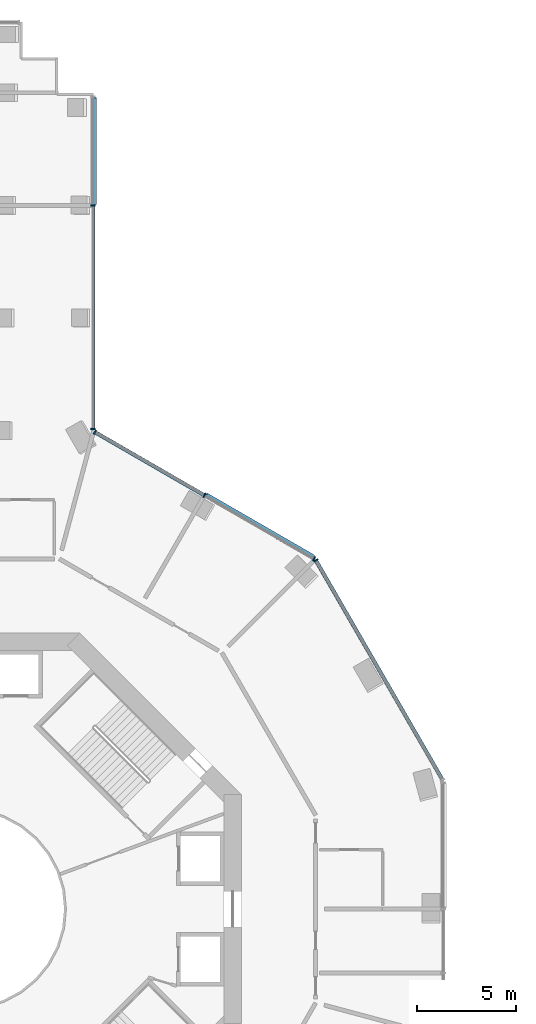
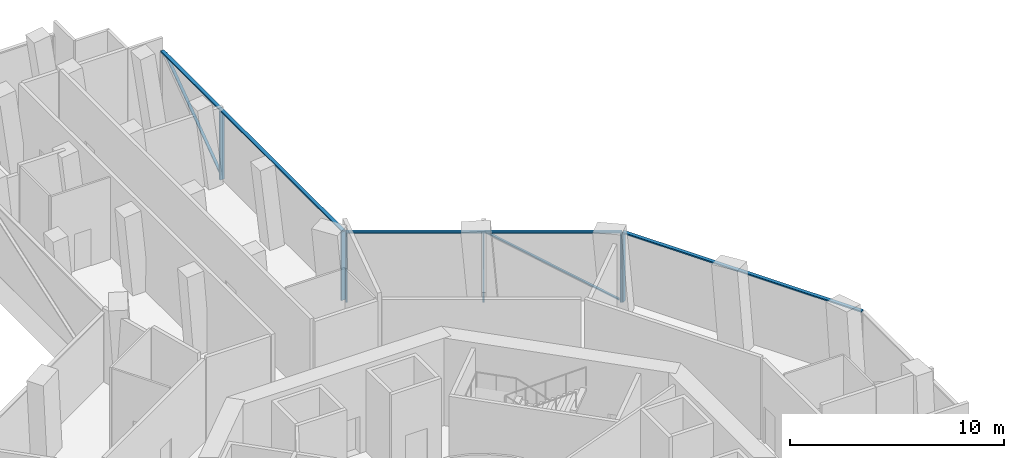
# One storey, part 5 of 16: 11 members, 3 elements without a shape of their own.
"""IFC4 building model written with IfcOpenShell, lengths in metres."""

from ifc_helpers import new_model, si_unit, direction, frame, origin, origin_2d, place, context, subcontext, project, spatial, rectangle, extrude, material, layer, layer_set, material_profile, profile_set, type_object, element, aggregate, save


model = new_model("IFC4")

# Units and contexts
model_context = context("Model", 3, precision=1e-05, world=origin(), true_north=direction((0.0, 1.0)))
body_context = subcontext(model_context, "Body", "Model", "MODEL_VIEW")
ifc_project = project(units=[si_unit("LENGTHUNIT", "METRE"), si_unit("AREAUNIT", "SQUARE_METRE"), si_unit("VOLUMEUNIT", "CUBIC_METRE"), si_unit("PLANEANGLEUNIT", "RADIAN"), si_unit("MASSUNIT", "GRAM", prefix="KILO")], contexts=[model_context])

# Site, building, storey
site_placement = place(None, origin())
site = spatial("IfcSite", under=ifc_project, at=site_placement, CompositionType="ELEMENT")
building_placement = place(site_placement, origin())
building = spatial("IfcBuilding", under=site, at=building_placement, Name="Verdalira Terraces Hotel", CompositionType="ELEMENT")
storey_placement = place(building_placement, frame((0.0, 0.0, 34.0)))
storey = spatial("IfcBuildingStorey", under=building, at=storey_placement, Name="L06", CompositionType="ELEMENT", Elevation=34.0)

# Curtain wall, members
ifc_material_1 = material(Name="Clear glass", Category="glass")
ifc_layer = layer(ifc_material_1, 0.239990234375)
ifc_layer_set = layer_set([ifc_layer], Name="CW5 curtain wall")
curtain_wall_type = type_object("IfcCurtainWallType", Name="CW5 curtain wall", PredefinedType="NOTDEFINED", material=ifc_layer_set)
curtain_wall_1_placement = place(storey_placement, origin())
curtain_wall_1 = element("IfcCurtainWall", 1, at=curtain_wall_1_placement, inside=storey, type_object=curtain_wall_type, Name="CW5 curtain wall L06 edge 0", PredefinedType="NOTDEFINED")
ifc_material_2 = material(Name="Terracotta frame", Category="masonry")
ifc_material_profile_1 = material_profile(ifc_material_2, rectangle(XDim=0.070068, YDim=0.23999, at=origin_2d()), Name="MU 70x240")
ifc_profile_set_1 = profile_set([ifc_material_profile_1], Name="Terracotta frame")
member_type_1 = type_object("IfcMemberType", Name="CW5 mullion 70x240", PredefinedType="MULLION", material=ifc_profile_set_1)
member_1_placement = place(storey_placement, frame((6.469971, 24.345215, 0.0), z_axis=(0.0, 0.0, 1.0), x_axis=(0.0, 1.0, 0.0)))
member_1 = element("IfcMember", 2, at=member_1_placement, type_object=member_type_1, Name="CW5 mullion", PredefinedType="MULLION", context=body_context, shape_type="SweptSolid", body=[
    extrude(rectangle(XDim=0.070068, YDim=0.23999, at=origin_2d()), origin(), (0.0, 0.0, 1.0), 3.915039),
])
member_2_placement = place(storey_placement, frame((6.469971, 35.686035, 0.0), z_axis=(0.0, 0.0, 1.0), x_axis=(0.0, 1.0, 0.0)))
member_2 = element("IfcMember", 3, at=member_2_placement, type_object=member_type_1, Name="CW5 mullion", PredefinedType="MULLION", context=body_context, shape_type="SweptSolid", body=[
    extrude(rectangle(XDim=0.070068, YDim=0.23999, at=origin_2d()), origin(), (0.0, 0.0, 1.0), 3.915039),
])

# Curtain wall, member
curtain_wall_2_placement = place(storey_placement, origin())
curtain_wall_2 = element("IfcCurtainWall", 4, at=curtain_wall_2_placement, inside=storey, type_object=curtain_wall_type, Name="CW5 curtain wall L06 edge 40", PredefinedType="NOTDEFINED")
member_3_placement = place(storey_placement, frame((17.77002, 17.678223, 0.0), z_axis=(0.0, 0.0, 1.0), x_axis=(-0.5, 0.866025404, 0.0)))
member_3 = element("IfcMember", 5, at=member_3_placement, type_object=member_type_1, Name="CW5 mullion", PredefinedType="MULLION", context=body_context, shape_type="SweptSolid", body=[
    extrude(rectangle(XDim=0.070068, YDim=0.23999, at=origin_2d()), origin(), (0.0, 0.0, 1.0), 3.915039),
])

# Curtain wall, members
curtain_wall_3_placement = place(storey_placement, origin())
curtain_wall_3 = element("IfcCurtainWall", 6, at=curtain_wall_3_placement, inside=storey, type_object=curtain_wall_type, Name="CW5 curtain wall L06 edge 41", PredefinedType="NOTDEFINED")
member_4_placement = place(storey_placement, frame((17.678223, 17.77002, 0.0), z_axis=(0.0, 0.0, 1.0), x_axis=(-0.866025404, 0.5, 0.0)))
member_4 = element("IfcMember", 7, at=member_4_placement, type_object=member_type_1, Name="CW5 mullion", PredefinedType="MULLION", context=body_context, shape_type="SweptSolid", body=[
    extrude(rectangle(XDim=0.070068, YDim=0.23999, at=origin_2d()), origin(), (0.0, 0.0, 1.0), 3.915039),
])
member_5_placement = place(storey_placement, frame((12.114258, 20.982422, 0.0), z_axis=(0.0, 0.0, 1.0), x_axis=(-0.866025404, 0.5, 0.0)))
member_5 = element("IfcMember", 8, at=member_5_placement, type_object=member_type_1, Name="CW5 mullion", PredefinedType="MULLION", context=body_context, shape_type="SweptSolid", body=[
    extrude(rectangle(XDim=0.070068, YDim=0.23999, at=origin_2d()), origin(), (0.0, 0.0, 1.0), 3.915039),
])
member_6_placement = place(storey_placement, frame((6.560303, 24.188965, 0.0), z_axis=(0.0, 0.0, 1.0), x_axis=(-0.866025404, 0.5, 0.0)))
member_6 = element("IfcMember", 9, at=member_6_placement, type_object=member_type_1, Name="CW5 mullion", PredefinedType="MULLION", context=body_context, shape_type="SweptSolid", body=[
    extrude(rectangle(XDim=0.070068, YDim=0.23999, at=origin_2d()), origin(), (0.0, 0.0, 1.0), 3.915039),
])

# Member
ifc_material_3 = material(Name="Terracotta frame", Category="masonry")
ifc_material_profile_2 = material_profile(ifc_material_3, rectangle(XDim=0.189941, YDim=0.074951, at=origin_2d()), Name="TR 75x190")
ifc_profile_set_2 = profile_set([ifc_material_profile_2], Name="Terracotta frame")
member_type_2 = type_object("IfcMemberType", Name="CW5 transom 75x190", PredefinedType="USERDEFINED", material=ifc_profile_set_2)
member_7_placement = place(storey_placement, frame((6.469971, 24.310303, 3.952393), z_axis=(0.0, 1.0, 0.0), x_axis=(-1.0, 0.0, 0.0)))
member_7 = element("IfcMember", 10, at=member_7_placement, type_object=member_type_2, Name="CW5 transom", ObjectType="TRANSOM", PredefinedType="USERDEFINED", context=body_context, shape_type="SweptSolid", body=[
    extrude(rectangle(XDim=0.189941, YDim=0.074951, at=origin_2d()), origin(), (0.0, 0.0, 1.0), 16.939697),
])

member_8_placement = place(storey_placement, frame((24.212158, 6.519775, 3.952393), z_axis=(-0.499994537, 0.866028558, 0.0), x_axis=(-0.866028558, -0.499994537, 0.0)))
member_8 = element("IfcMember", 11, at=member_8_placement, type_object=member_type_2, Name="CW5 transom", ObjectType="TRANSOM", PredefinedType="USERDEFINED", context=body_context, shape_type="SweptSolid", body=[
    extrude(rectangle(XDim=0.189941, YDim=0.074951, at=origin_2d()), origin(), (0.0, 0.0, 1.0), 12.919678),
])

aggregate(curtain_wall_2, [member_3, member_8])

member_9_placement = place(storey_placement, frame((17.708496, 17.752441, 3.952393), z_axis=(-0.866026524, 0.49999806, 0.0), x_axis=(-0.49999806, -0.866026524, 0.0)))
member_9 = element("IfcMember", 12, at=member_9_placement, type_object=member_type_2, Name="CW5 transom", ObjectType="TRANSOM", PredefinedType="USERDEFINED", context=body_context, shape_type="SweptSolid", body=[
    extrude(rectangle(XDim=0.189941, YDim=0.074951, at=origin_2d()), origin(), (0.0, 0.0, 1.0), 12.907715),
])

ifc_material_4 = material(Name="Terracotta frame", Category="masonry")
ifc_material_profile_3 = material_profile(ifc_material_4, rectangle(XDim=0.149902, YDim=0.060059, at=origin_2d()), Name="GB 60x150")
ifc_profile_set_3 = profile_set([ifc_material_profile_3], Name="Terracotta frame")
member_type_3 = type_object("IfcMemberType", Name="Diagonal glazing bar 60x150", PredefinedType="USERDEFINED", material=ifc_profile_set_3)
member_10_placement = place(storey_placement, frame((6.566895, 35.756836, 0.025635), z_axis=(0.0, 0.812619763, 0.582794235), x_axis=(-1.0, 0.0, 0.0)))
member_10 = element("IfcMember", 13, at=member_10_placement, type_object=member_type_3, Name="Diagonal glazing bar", ObjectType="GLAZING BAR", PredefinedType="USERDEFINED", context=body_context, shape_type="SweptSolid", body=[
    extrude(rectangle(XDim=0.149902, YDim=0.060059, at=origin_2d()), origin(), (0.0, 0.0, 1.0), 6.629639),
])

aggregate(curtain_wall_1, [member_1, member_2, member_7, member_10])

member_11_placement = place(storey_placement, frame((17.658936, 17.893066, 0.026611), z_axis=(-0.73731865, 0.425711573, 0.524529184), x_axis=(-0.500018016, -0.866015002, 0.0)))
member_11 = element("IfcMember", 14, at=member_11_placement, type_object=member_type_3, Name="Diagonal glazing bar", ObjectType="GLAZING BAR", PredefinedType="USERDEFINED", context=body_context, shape_type="SweptSolid", body=[
    extrude(rectangle(XDim=0.149902, YDim=0.060059, at=origin_2d()), origin(), (0.0, 0.0, 1.0), 7.362549),
])

aggregate(curtain_wall_3, [member_4, member_5, member_6, member_9, member_11])

save(model, "model.ifc")
